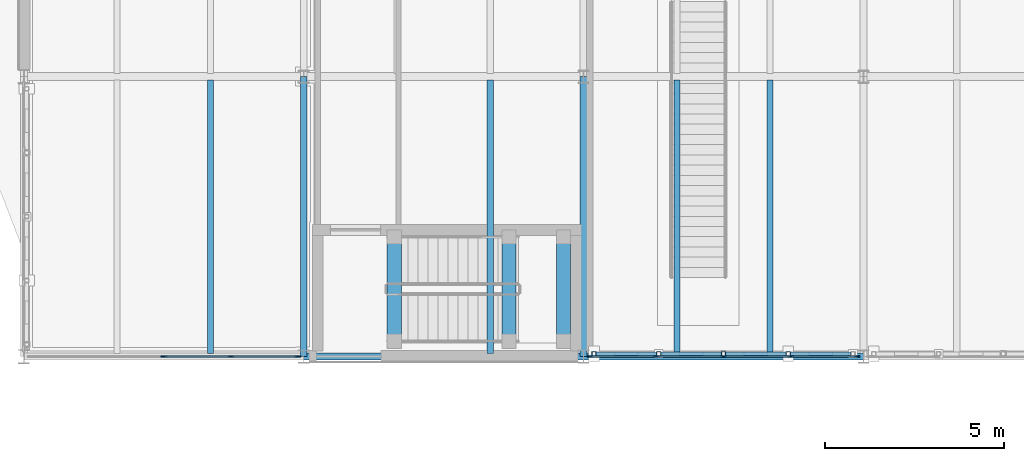
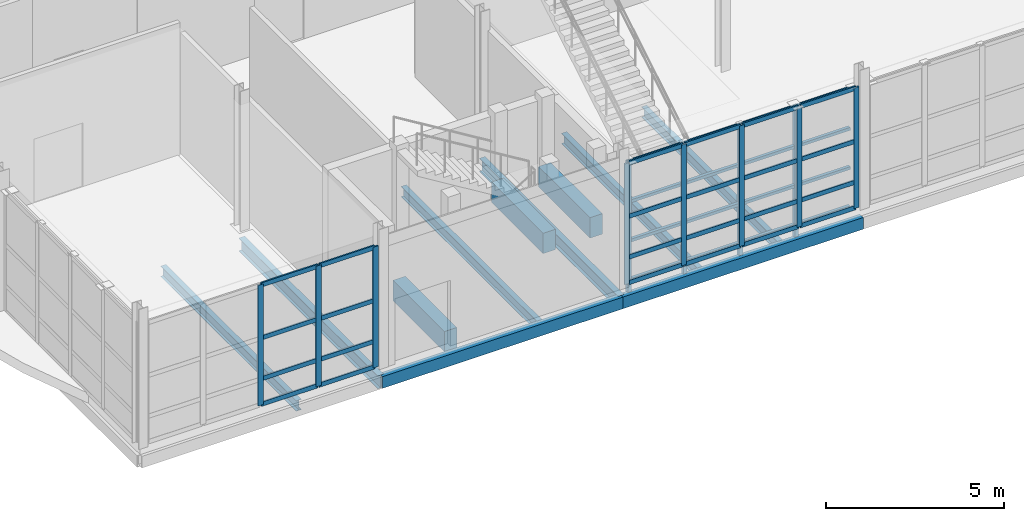
# One storey, part 59 of 131: 52 members, 11 beams, 2 elements without a shape of their own.
"""IFC4 building model written with IfcOpenShell, lengths in metres."""

from ifc_helpers import new_model, si_unit, direction, frame, origin, origin_2d, place, context, subcontext, project, spatial, rectangle, hollow_rectangle, i_section, extrude, material, layer, layer_set, material_profile, profile_set, type_object, element, aggregate, save


model = new_model("IFC4")

# Units and contexts
model_context = context("Model", 3, precision=1e-05, world=origin(), true_north=direction((0.0, 1.0)))
body_context = subcontext(model_context, "Body", "Model", "MODEL_VIEW")
ifc_project = project(units=[si_unit("LENGTHUNIT", "METRE"), si_unit("AREAUNIT", "SQUARE_METRE"), si_unit("VOLUMEUNIT", "CUBIC_METRE"), si_unit("PLANEANGLEUNIT", "RADIAN"), si_unit("MASSUNIT", "GRAM", prefix="KILO")], contexts=[model_context])

# Site, building, storey
site_placement = place(None, origin())
site = spatial("IfcSite", under=ifc_project, at=site_placement, CompositionType="ELEMENT")
building_placement = place(site_placement, origin())
building = spatial("IfcBuilding", under=site, at=building_placement, Name="Celorna Specialist Clinic", CompositionType="ELEMENT")
storey_placement = place(building_placement, origin())
storey = spatial("IfcBuildingStorey", under=building, at=storey_placement, Name="L00", CompositionType="ELEMENT", Elevation=0.0)

# Beams
ifc_material_1 = material(Name="Steel S355", Category="steel")
ifc_material_profile_1 = material_profile(ifc_material_1, i_section(OverallWidth=0.18994140625, OverallDepth=0.449951171875, WebThickness=0.009521484375, FlangeThickness=0.0146484375, at=origin_2d()), Name="IPE 450")
ifc_profile_set_1 = profile_set([ifc_material_profile_1], Name="Steel S355")
beam_type_1 = type_object("IfcBeamType", Name="BM-09", PredefinedType="BEAM", material=ifc_profile_set_1)
for number, where, z_axis, x_axis, name in (
    (1, (132.60009765625, 60.0, -0.56494140625), (0.0, 1.0, 0.0), (-1.0, 0.0, 0.0), "Transverse girder BM-09 #561"),
    (2, (140.39990234375, 60.0, -0.56494140625), (0.0, 1.0, 0.0), (-1.0, 0.0, 0.0), "Transverse girder BM-09 #564"),
):
    element("IfcBeam", number, at=place(storey_placement, frame(where, z_axis=z_axis, x_axis=x_axis)), inside=storey, type_object=beam_type_1, Name=name, PredefinedType="BEAM", context=body_context, shape_type="SweptSolid", body=[
        extrude(i_section(OverallWidth=0.18994140625, OverallDepth=0.449951171875, WebThickness=0.009521484375, FlangeThickness=0.0146484375, at=origin_2d()), origin(), (0.0, 0.0, 1.0), 7.800048828125),
    ])
ifc_material_profile_2 = material_profile(ifc_material_1, i_section(OverallWidth=0.169921875, OverallDepth=0.360107421875, WebThickness=0.008056640625, FlangeThickness=0.0126953125, at=origin_2d()), Name="IPE 360")
ifc_profile_set_2 = profile_set([ifc_material_profile_2], Name="Steel S355")
beam_type_2 = type_object("IfcBeamType", Name="BM-11", PredefinedType="JOIST", material=ifc_profile_set_2)
for number, where, z_axis, x_axis, name in (
    (3, (130.0, 60.087890625, -0.52001953125), (0.0, 1.0, 0.0), (-1.0, 0.0, 0.0), "Secondary floor joist BM-11 #580"),
    (4, (137.800048828125, 60.087890625, -0.52001953125), (0.0, 1.0, 0.0), (-1.0, 0.0, 0.0), "Secondary floor joist BM-11 #585"),
    (5, (143.0, 60.087890625, -0.52001953125), (0.0, 1.0, 0.0), (-1.0, 0.0, 0.0), "Secondary floor joist BM-11 #590"),
    (6, (145.60009765625, 60.087890625, -0.52001953125), (0.0, 1.0, 0.0), (-1.0, 0.0, 0.0), "Secondary floor joist BM-11 #591"),
):
    element("IfcBeam", number, at=place(storey_placement, frame(where, z_axis=z_axis, x_axis=x_axis)), inside=storey, type_object=beam_type_2, Name=name, PredefinedType="JOIST", context=body_context, shape_type="SweptSolid", body=[
        extrude(i_section(OverallWidth=0.169921875, OverallDepth=0.360107421875, WebThickness=0.008056640625, FlangeThickness=0.0126953125, at=origin_2d()), origin(), (0.0, 0.0, 1.0), 7.6240234375),
    ])
ifc_material_profile_3 = material_profile(ifc_material_1, hollow_rectangle(XDim=0.199951171875, YDim=0.39990234375, WallThickness=0.011962890625, at=origin_2d()), Name="RHS 200x400x12")
ifc_profile_set_3 = profile_set([ifc_material_profile_3], Name="Steel S355")
beam_type_3 = type_object("IfcBeamType", Name="BM-15", PredefinedType="SPANDREL", material=ifc_profile_set_3)
beam_1_placement = place(storey_placement, frame((132.60009765625, 60.0, -0.5400390625), z_axis=(1.0, 0.0, 0.0), x_axis=(0.0, 1.0, 0.0)))
element("IfcBeam", 7, at=beam_1_placement, inside=storey, type_object=beam_type_3, Name="Spandrel beam BM-15 #535", PredefinedType="SPANDREL", context=body_context, shape_type="SweptSolid", body=[
    extrude(hollow_rectangle(XDim=0.199951171875, YDim=0.39990234375, WallThickness=0.011962890625, at=origin_2d()), origin(), (0.0, 0.0, 1.0), 7.7998046875),
])
beam_2_placement = place(storey_placement, frame((140.39990234375, 60.0, -0.5400390625), z_axis=(1.0, 0.0, 0.0), x_axis=(0.0, 1.0, 0.0)))
element("IfcBeam", 8, at=beam_2_placement, inside=storey, type_object=beam_type_3, Name="Spandrel beam BM-15 #536", PredefinedType="SPANDREL", context=body_context, shape_type="SweptSolid", body=[
    extrude(hollow_rectangle(XDim=0.199951171875, YDim=0.39990234375, WallThickness=0.011962890625, at=origin_2d()), origin(), (0.0, 0.0, 1.0), 7.800048828125),
])
ifc_material_2 = material(Name="Concrete C35/45", Category="concrete")
ifc_material_profile_4 = material_profile(ifc_material_2, rectangle(XDim=0.39990234375, YDim=0.699951171875, at=origin_2d()), Name="RC 400x700")
ifc_profile_set_4 = profile_set([ifc_material_profile_4], Name="Concrete C35/45")
beam_type_4 = type_object("IfcBeamType", Name="BM-19", PredefinedType="BEAM", material=ifc_profile_set_4)
for number, where, z_axis, x_axis, name in (
    (9, (135.1201171875, 60.429931640625, -0.27490234375), (0.0, 1.0, 0.0), (-1.0, 0.0, 0.0), "Stair ST-13 floor landing trimmer beam L00"),
    (10, (138.320068359375, 60.429931640625, 1.97509765625), (0.0, 1.0, 0.0), (-1.0, 0.0, 0.0), "Stair ST-13 half-landing beam L00"),
    (11, (139.840087890625, 60.429931640625, 1.97509765625), (0.0, 1.0, 0.0), (-1.0, 0.0, 0.0), "Stair ST-13 half-landing beam L00"),
):
    element("IfcBeam", number, at=place(storey_placement, frame(where, z_axis=z_axis, x_axis=x_axis)), inside=storey, type_object=beam_type_4, Name=name, PredefinedType="BEAM", context=body_context, shape_type="SweptSolid", body=[
        extrude(rectangle(XDim=0.39990234375, YDim=0.699951171875, at=origin_2d()), origin(), (0.0, 0.0, 1.0), 2.900146484375),
    ])

# Members
ifc_material_profile_5 = material_profile(ifc_material_1, hollow_rectangle(XDim=0.1201171875, YDim=0.1201171875, WallThickness=0.008056640625, at=origin_2d()), Name="SHS 120x120x8")
ifc_profile_set_5 = profile_set([ifc_material_profile_5], Name="Steel S355")
member_type_1 = type_object("IfcMemberType", Name="MB-11", PredefinedType="STUD", material=ifc_profile_set_5)
for number, where, z_axis, x_axis, name in (
    (12, (140.68994140625, 60.080078125, -0.360107421875), (0.0, 0.0, 1.0), (1.0, 0.0, 0.0), "Perforated screen steel post #1960"),
    (13, (142.4951171875, 60.080078125, -0.360107421875), (0.0, 0.0, 1.0), (1.0, 0.0, 0.0), "Perforated screen steel post #1961"),
    (14, (144.300048828125, 60.080078125, -0.360107421875), (0.0, 0.0, 1.0), (1.0, 0.0, 0.0), "Perforated screen steel post #1962"),
    (15, (146.10498046875, 60.080078125, -0.360107421875), (0.0, 0.0, 1.0), (1.0, 0.0, 0.0), "Perforated screen steel post #1963"),
):
    element("IfcMember", number, at=place(storey_placement, frame(where, z_axis=z_axis, x_axis=x_axis)), inside=storey, type_object=member_type_1, Name=name, PredefinedType="STUD", context=body_context, shape_type="SweptSolid", body=[
        extrude(hollow_rectangle(XDim=0.1201171875, YDim=0.1201171875, WallThickness=0.008056640625, at=origin_2d()), origin(), (0.0, 0.0, 1.0), 4.5),
    ])
ifc_material_profile_6 = material_profile(ifc_material_1, hollow_rectangle(XDim=0.10009765625, YDim=0.10009765625, WallThickness=0.006103515625, at=origin_2d()), Name="SHS 100x100x6")
ifc_profile_set_6 = profile_set([ifc_material_profile_6], Name="Steel S355")
member_type_2 = type_object("IfcMemberType", Name="MB-12", PredefinedType="STUD", material=ifc_profile_set_6)
for number, where, z_axis, x_axis, name in (
    (16, (140.75, 60.080078125, 0.050048828125), (1.0, 0.0, 0.0), (0.0, 1.0, 0.0), "Perforated screen rail #1965"),
    (17, (140.75, 60.080078125, 1.396728515625), (1.0, 0.0, 0.0), (0.0, 1.0, 0.0), "Perforated screen rail #1966"),
    (18, (140.75, 60.080078125, 2.743408203125), (1.0, 0.0, 0.0), (0.0, 1.0, 0.0), "Perforated screen rail #1967"),
    (19, (140.75, 60.080078125, 4.090087890625), (1.0, 0.0, 0.0), (0.0, 1.0, 0.0), "Perforated screen rail #1968"),
    (20, (142.554931640625, 60.080078125, 0.050048828125), (1.0, 0.0, 0.0), (0.0, 1.0, 0.0), "Perforated screen rail #1969"),
    (21, (142.554931640625, 60.080078125, 1.396728515625), (1.0, 0.0, 0.0), (0.0, 1.0, 0.0), "Perforated screen rail #1970"),
    (22, (142.554931640625, 60.080078125, 2.743408203125), (1.0, 0.0, 0.0), (0.0, 1.0, 0.0), "Perforated screen rail #1971"),
    (23, (142.554931640625, 60.080078125, 4.090087890625), (1.0, 0.0, 0.0), (0.0, 1.0, 0.0), "Perforated screen rail #1972"),
):
    element("IfcMember", number, at=place(storey_placement, frame(where, z_axis=z_axis, x_axis=x_axis)), inside=storey, type_object=member_type_2, Name=name, PredefinedType="STUD", context=body_context, shape_type="SweptSolid", body=[
        extrude(hollow_rectangle(XDim=0.10009765625, YDim=0.10009765625, WallThickness=0.006103515625, at=origin_2d()), origin(), (0.0, 0.0, 1.0), 1.68505859375),
    ])
for number, where, z_axis, x_axis, name in (
    (24, (144.360107421875, 60.080078125, 0.050048828125), (1.0, 0.0, 0.0), (0.0, 1.0, 0.0), "Perforated screen rail #1973"),
    (25, (144.360107421875, 60.080078125, 1.396728515625), (1.0, 0.0, 0.0), (0.0, 1.0, 0.0), "Perforated screen rail #1974"),
    (26, (144.360107421875, 60.080078125, 2.743408203125), (1.0, 0.0, 0.0), (0.0, 1.0, 0.0), "Perforated screen rail #1975"),
    (27, (144.360107421875, 60.080078125, 4.090087890625), (1.0, 0.0, 0.0), (0.0, 1.0, 0.0), "Perforated screen rail #1976"),
):
    element("IfcMember", number, at=place(storey_placement, frame(where, z_axis=z_axis, x_axis=x_axis)), inside=storey, type_object=member_type_2, Name=name, PredefinedType="STUD", context=body_context, shape_type="SweptSolid", body=[
        extrude(hollow_rectangle(XDim=0.10009765625, YDim=0.10009765625, WallThickness=0.006103515625, at=origin_2d()), origin(), (0.0, 0.0, 1.0), 1.684814453125),
    ])
for number, where, z_axis, x_axis, name in (
    (28, (146.1650390625, 60.080078125, 0.050048828125), (1.0, 0.0, 0.0), (0.0, 1.0, 0.0), "Perforated screen rail #1977"),
    (29, (146.1650390625, 60.080078125, 1.396728515625), (1.0, 0.0, 0.0), (0.0, 1.0, 0.0), "Perforated screen rail #1978"),
    (30, (146.1650390625, 60.080078125, 2.743408203125), (1.0, 0.0, 0.0), (0.0, 1.0, 0.0), "Perforated screen rail #1979"),
    (31, (146.1650390625, 60.080078125, 4.090087890625), (1.0, 0.0, 0.0), (0.0, 1.0, 0.0), "Perforated screen rail #1980"),
):
    element("IfcMember", number, at=place(storey_placement, frame(where, z_axis=z_axis, x_axis=x_axis)), inside=storey, type_object=member_type_2, Name=name, PredefinedType="STUD", context=body_context, shape_type="SweptSolid", body=[
        extrude(hollow_rectangle(XDim=0.10009765625, YDim=0.10009765625, WallThickness=0.006103515625, at=origin_2d()), origin(), (0.0, 0.0, 1.0), 1.68505859375),
    ])

# Curtain wall, members
ifc_material_3 = material(Name="Thermally broken aluminium and solar-control glass curtain wall", Category="aluminium")
ifc_layer_1 = layer(ifc_material_3, 0.159912109375, Name="Thermally broken aluminium and solar-control glass curtain wall")
ifc_layer_set_1 = layer_set([ifc_layer_1], Name="Thermally broken aluminium and solar-control glass curtain wall")
curtain_wall_type_1 = type_object("IfcCurtainWallType", Name="CW-35", PredefinedType="NOTDEFINED", material=ifc_layer_set_1)
curtain_wall_1_placement = place(storey_placement, origin())
curtain_wall_1 = element("IfcCurtainWall", 32, at=curtain_wall_1_placement, inside=storey, type_object=curtain_wall_type_1, Name="Curtain wall CW-35 #65", PredefinedType="NOTDEFINED")
ifc_material_4 = material(Name="Anodized aluminium mullion", Category="aluminium")
ifc_material_profile_7 = material_profile(ifc_material_4, rectangle(XDim=0.050048828125, YDim=0.159912109375, at=origin_2d()), Name="ALU MULLION 50x160")
ifc_profile_set_7 = profile_set([ifc_material_profile_7], Name="Anodized aluminium mullion")
member_type_3 = type_object("IfcMemberType", Name="ML-01", PredefinedType="MULLION", material=ifc_profile_set_7)
member_1_placement = place(storey_placement, frame((148.02099609375, 60.0, 0.0), z_axis=(0.0, 0.0, 1.0), x_axis=(0.0, -1.0, 0.0)))
member_1 = element("IfcMember", 33, at=member_1_placement, type_object=member_type_3, Name="CW-35 mullion 1", PredefinedType="MULLION", context=body_context, shape_type="SweptSolid", body=[
    extrude(rectangle(XDim=0.050048828125, YDim=0.159912109375, at=origin_2d()), origin(), (0.0, 0.0, 1.0), 4.139892578125),
])
member_2_placement = place(storey_placement, frame((146.173095703125, 60.0, 0.0), z_axis=(0.0, 0.0, 1.0), x_axis=(0.0, -1.0, 0.0)))
member_2 = element("IfcMember", 34, at=member_2_placement, type_object=member_type_3, Name="CW-35 mullion 2", PredefinedType="MULLION", context=body_context, shape_type="SweptSolid", body=[
    extrude(rectangle(XDim=0.050048828125, YDim=0.159912109375, at=origin_2d()), origin(), (0.0, 0.0, 1.0), 4.139892578125),
])
member_3_placement = place(storey_placement, frame((144.300048828125, 60.0, 0.0), z_axis=(0.0, 0.0, 1.0), x_axis=(0.0, -1.0, 0.0)))
member_3 = element("IfcMember", 35, at=member_3_placement, type_object=member_type_3, Name="CW-35 mullion 3", PredefinedType="MULLION", context=body_context, shape_type="SweptSolid", body=[
    extrude(rectangle(XDim=0.050048828125, YDim=0.159912109375, at=origin_2d()), origin(), (0.0, 0.0, 1.0), 4.139892578125),
])
member_4_placement = place(storey_placement, frame((142.427001953125, 60.0, 0.0), z_axis=(0.0, 0.0, 1.0), x_axis=(0.0, -1.0, 0.0)))
member_4 = element("IfcMember", 36, at=member_4_placement, type_object=member_type_3, Name="CW-35 mullion 4", PredefinedType="MULLION", context=body_context, shape_type="SweptSolid", body=[
    extrude(rectangle(XDim=0.050048828125, YDim=0.159912109375, at=origin_2d()), origin(), (0.0, 0.0, 1.0), 4.139892578125),
])
member_5_placement = place(storey_placement, frame((140.5791015625, 60.0, 0.0), z_axis=(0.0, 0.0, 1.0), x_axis=(0.0, -1.0, 0.0)))
member_5 = element("IfcMember", 37, at=member_5_placement, type_object=member_type_3, Name="CW-35 mullion 5", PredefinedType="MULLION", context=body_context, shape_type="SweptSolid", body=[
    extrude(rectangle(XDim=0.050048828125, YDim=0.159912109375, at=origin_2d()), origin(), (0.0, 0.0, 1.0), 4.139892578125),
])

ifc_layer_2 = layer(ifc_material_3, 0.159912109375, Name="Thermally broken aluminium and solar-control glass curtain wall")
ifc_layer_set_2 = layer_set([ifc_layer_2], Name="Thermally broken aluminium and solar-control glass curtain wall")
curtain_wall_type_2 = type_object("IfcCurtainWallType", Name="CW-34", PredefinedType="NOTDEFINED", material=ifc_layer_set_2)
curtain_wall_2_placement = place(storey_placement, origin())
curtain_wall_2 = element("IfcCurtainWall", 38, at=curtain_wall_2_placement, inside=storey, type_object=curtain_wall_type_2, Name="Curtain wall CW-34 #64", PredefinedType="NOTDEFINED")
ifc_material_profile_8 = material_profile(ifc_material_4, rectangle(XDim=0.050048828125, YDim=0.179931640625, at=origin_2d()), Name="ALU MULLION 50x180")
ifc_profile_set_8 = profile_set([ifc_material_profile_8], Name="Anodized aluminium mullion")
member_type_4 = type_object("IfcMemberType", Name="ML-02", PredefinedType="MULLION", material=ifc_profile_set_8)
member_6_placement = place(storey_placement, frame((132.4208984375, 60.0, 0.0), z_axis=(0.0, 0.0, 1.0), x_axis=(0.0, -1.0, 0.0)))
member_6 = element("IfcMember", 39, at=member_6_placement, type_object=member_type_4, Name="CW-34 mullion 1", PredefinedType="MULLION", context=body_context, shape_type="SweptSolid", body=[
    extrude(rectangle(XDim=0.050048828125, YDim=0.179931640625, at=origin_2d()), origin(), (0.0, 0.0, 1.0), 4.139892578125),
])
member_7_placement = place(storey_placement, frame((130.572998046875, 60.0, 0.0), z_axis=(0.0, 0.0, 1.0), x_axis=(0.0, -1.0, 0.0)))
member_7 = element("IfcMember", 40, at=member_7_placement, type_object=member_type_4, Name="CW-34 mullion 2", PredefinedType="MULLION", context=body_context, shape_type="SweptSolid", body=[
    extrude(rectangle(XDim=0.050048828125, YDim=0.179931640625, at=origin_2d()), origin(), (0.0, 0.0, 1.0), 4.139892578125),
])
member_8_placement = place(storey_placement, frame((128.699951171875, 60.0, 0.0), z_axis=(0.0, 0.0, 1.0), x_axis=(0.0, -1.0, 0.0)))
member_8 = element("IfcMember", 41, at=member_8_placement, type_object=member_type_4, Name="CW-34 mullion 3", PredefinedType="MULLION", context=body_context, shape_type="SweptSolid", body=[
    extrude(rectangle(XDim=0.050048828125, YDim=0.179931640625, at=origin_2d()), origin(), (0.0, 0.0, 1.0), 4.139892578125),
])
ifc_material_5 = material(Name="Anodized aluminium transom", Category="aluminium")
ifc_material_profile_9 = material_profile(ifc_material_5, rectangle(XDim=0.050048828125, YDim=0.14990234375, at=origin_2d()), Name="ALU TRANSOM 50x150")
ifc_profile_set_9 = profile_set([ifc_material_profile_9], Name="Anodized aluminium transom")
member_type_5 = type_object("IfcMemberType", Name="TR-02", PredefinedType="USERDEFINED", material=ifc_profile_set_9)
member_9_placement = place(storey_placement, frame((132.39599609375, 60.0, 0.02490234375), z_axis=(-1.0, 0.0, 0.0), x_axis=(0.0, -1.0, 0.0)))
member_9 = element("IfcMember", 42, at=member_9_placement, type_object=member_type_5, Name="CW-34 transom 1.1", ObjectType="TRANSOM", PredefinedType="USERDEFINED", context=body_context, shape_type="SweptSolid", body=[
    extrude(rectangle(XDim=0.050048828125, YDim=0.14990234375, at=origin_2d()), origin(), (0.0, 0.0, 1.0), 1.798095703125),
])
member_10_placement = place(storey_placement, frame((132.39599609375, 60.0, 0.89990234375), z_axis=(-1.0, 0.0, 0.0), x_axis=(0.0, -1.0, 0.0)))
member_10 = element("IfcMember", 43, at=member_10_placement, type_object=member_type_5, Name="CW-34 transom 1.2", ObjectType="TRANSOM", PredefinedType="USERDEFINED", context=body_context, shape_type="SweptSolid", body=[
    extrude(rectangle(XDim=0.050048828125, YDim=0.14990234375, at=origin_2d()), origin(), (0.0, 0.0, 1.0), 1.798095703125),
])
member_11_placement = place(storey_placement, frame((132.39599609375, 60.0, 2.300048828125), z_axis=(-1.0, 0.0, 0.0), x_axis=(0.0, -1.0, 0.0)))
member_11 = element("IfcMember", 44, at=member_11_placement, type_object=member_type_5, Name="CW-34 transom 1.3", ObjectType="TRANSOM", PredefinedType="USERDEFINED", context=body_context, shape_type="SweptSolid", body=[
    extrude(rectangle(XDim=0.050048828125, YDim=0.14990234375, at=origin_2d()), origin(), (0.0, 0.0, 1.0), 1.798095703125),
])
member_12_placement = place(storey_placement, frame((132.39599609375, 60.0, 4.114990234375), z_axis=(-1.0, 0.0, 0.0), x_axis=(0.0, -1.0, 0.0)))
member_12 = element("IfcMember", 45, at=member_12_placement, type_object=member_type_5, Name="CW-34 transom 1.4", ObjectType="TRANSOM", PredefinedType="USERDEFINED", context=body_context, shape_type="SweptSolid", body=[
    extrude(rectangle(XDim=0.050048828125, YDim=0.14990234375, at=origin_2d()), origin(), (0.0, 0.0, 1.0), 1.798095703125),
])
member_13_placement = place(storey_placement, frame((130.548095703125, 60.0, 0.02490234375), z_axis=(-1.0, 0.0, 0.0), x_axis=(0.0, -1.0, 0.0)))
member_13 = element("IfcMember", 46, at=member_13_placement, type_object=member_type_5, Name="CW-34 transom 2.1", ObjectType="TRANSOM", PredefinedType="USERDEFINED", context=body_context, shape_type="SweptSolid", body=[
    extrude(rectangle(XDim=0.050048828125, YDim=0.14990234375, at=origin_2d()), origin(), (0.0, 0.0, 1.0), 1.822998046875),
])
member_14_placement = place(storey_placement, frame((130.548095703125, 60.0, 0.89990234375), z_axis=(-1.0, 0.0, 0.0), x_axis=(0.0, -1.0, 0.0)))
member_14 = element("IfcMember", 47, at=member_14_placement, type_object=member_type_5, Name="CW-34 transom 2.2", ObjectType="TRANSOM", PredefinedType="USERDEFINED", context=body_context, shape_type="SweptSolid", body=[
    extrude(rectangle(XDim=0.050048828125, YDim=0.14990234375, at=origin_2d()), origin(), (0.0, 0.0, 1.0), 1.822998046875),
])
member_15_placement = place(storey_placement, frame((130.548095703125, 60.0, 2.300048828125), z_axis=(-1.0, 0.0, 0.0), x_axis=(0.0, -1.0, 0.0)))
member_15 = element("IfcMember", 48, at=member_15_placement, type_object=member_type_5, Name="CW-34 transom 2.3", ObjectType="TRANSOM", PredefinedType="USERDEFINED", context=body_context, shape_type="SweptSolid", body=[
    extrude(rectangle(XDim=0.050048828125, YDim=0.14990234375, at=origin_2d()), origin(), (0.0, 0.0, 1.0), 1.822998046875),
])
member_16_placement = place(storey_placement, frame((130.548095703125, 60.0, 4.114990234375), z_axis=(-1.0, 0.0, 0.0), x_axis=(0.0, -1.0, 0.0)))
member_16 = element("IfcMember", 49, at=member_16_placement, type_object=member_type_5, Name="CW-34 transom 2.4", ObjectType="TRANSOM", PredefinedType="USERDEFINED", context=body_context, shape_type="SweptSolid", body=[
    extrude(rectangle(XDim=0.050048828125, YDim=0.14990234375, at=origin_2d()), origin(), (0.0, 0.0, 1.0), 1.822998046875),
])
aggregate(curtain_wall_2, [member_6, member_7, member_8, member_9, member_10, member_11, member_12, member_13, member_14, member_15, member_16])

# Member
member_17_placement = place(storey_placement, frame((147.99609375, 60.0, 0.02490234375), z_axis=(-1.0, 0.0, 0.0), x_axis=(0.0, -1.0, 0.0)))
member_17 = element("IfcMember", 50, at=member_17_placement, type_object=member_type_5, Name="CW-35 transom 1.1", ObjectType="TRANSOM", PredefinedType="USERDEFINED", context=body_context, shape_type="SweptSolid", body=[
    extrude(rectangle(XDim=0.050048828125, YDim=0.14990234375, at=origin_2d()), origin(), (0.0, 0.0, 1.0), 1.798095703125),
])

member_18_placement = place(storey_placement, frame((147.99609375, 60.0, 0.89990234375), z_axis=(-1.0, 0.0, 0.0), x_axis=(0.0, -1.0, 0.0)))
member_18 = element("IfcMember", 51, at=member_18_placement, type_object=member_type_5, Name="CW-35 transom 1.2", ObjectType="TRANSOM", PredefinedType="USERDEFINED", context=body_context, shape_type="SweptSolid", body=[
    extrude(rectangle(XDim=0.050048828125, YDim=0.14990234375, at=origin_2d()), origin(), (0.0, 0.0, 1.0), 1.798095703125),
])

member_19_placement = place(storey_placement, frame((147.99609375, 60.0, 2.300048828125), z_axis=(-1.0, 0.0, 0.0), x_axis=(0.0, -1.0, 0.0)))
member_19 = element("IfcMember", 52, at=member_19_placement, type_object=member_type_5, Name="CW-35 transom 1.3", ObjectType="TRANSOM", PredefinedType="USERDEFINED", context=body_context, shape_type="SweptSolid", body=[
    extrude(rectangle(XDim=0.050048828125, YDim=0.14990234375, at=origin_2d()), origin(), (0.0, 0.0, 1.0), 1.798095703125),
])

member_20_placement = place(storey_placement, frame((147.99609375, 60.0, 4.114990234375), z_axis=(-1.0, 0.0, 0.0), x_axis=(0.0, -1.0, 0.0)))
member_20 = element("IfcMember", 53, at=member_20_placement, type_object=member_type_5, Name="CW-35 transom 1.4", ObjectType="TRANSOM", PredefinedType="USERDEFINED", context=body_context, shape_type="SweptSolid", body=[
    extrude(rectangle(XDim=0.050048828125, YDim=0.14990234375, at=origin_2d()), origin(), (0.0, 0.0, 1.0), 1.798095703125),
])

member_21_placement = place(storey_placement, frame((146.14794921875, 60.0, 0.02490234375), z_axis=(-1.0, 0.0, 0.0), x_axis=(0.0, -1.0, 0.0)))
member_21 = element("IfcMember", 54, at=member_21_placement, type_object=member_type_5, Name="CW-35 transom 2.1", ObjectType="TRANSOM", PredefinedType="USERDEFINED", context=body_context, shape_type="SweptSolid", body=[
    extrude(rectangle(XDim=0.050048828125, YDim=0.14990234375, at=origin_2d()), origin(), (0.0, 0.0, 1.0), 1.822998046875),
])

member_22_placement = place(storey_placement, frame((146.14794921875, 60.0, 0.89990234375), z_axis=(-1.0, 0.0, 0.0), x_axis=(0.0, -1.0, 0.0)))
member_22 = element("IfcMember", 55, at=member_22_placement, type_object=member_type_5, Name="CW-35 transom 2.2", ObjectType="TRANSOM", PredefinedType="USERDEFINED", context=body_context, shape_type="SweptSolid", body=[
    extrude(rectangle(XDim=0.050048828125, YDim=0.14990234375, at=origin_2d()), origin(), (0.0, 0.0, 1.0), 1.822998046875),
])

member_23_placement = place(storey_placement, frame((146.14794921875, 60.0, 2.300048828125), z_axis=(-1.0, 0.0, 0.0), x_axis=(0.0, -1.0, 0.0)))
member_23 = element("IfcMember", 56, at=member_23_placement, type_object=member_type_5, Name="CW-35 transom 2.3", ObjectType="TRANSOM", PredefinedType="USERDEFINED", context=body_context, shape_type="SweptSolid", body=[
    extrude(rectangle(XDim=0.050048828125, YDim=0.14990234375, at=origin_2d()), origin(), (0.0, 0.0, 1.0), 1.822998046875),
])

member_24_placement = place(storey_placement, frame((146.14794921875, 60.0, 4.114990234375), z_axis=(-1.0, 0.0, 0.0), x_axis=(0.0, -1.0, 0.0)))
member_24 = element("IfcMember", 57, at=member_24_placement, type_object=member_type_5, Name="CW-35 transom 2.4", ObjectType="TRANSOM", PredefinedType="USERDEFINED", context=body_context, shape_type="SweptSolid", body=[
    extrude(rectangle(XDim=0.050048828125, YDim=0.14990234375, at=origin_2d()), origin(), (0.0, 0.0, 1.0), 1.822998046875),
])

member_25_placement = place(storey_placement, frame((144.27490234375, 60.0, 0.02490234375), z_axis=(-1.0, 0.0, 0.0), x_axis=(0.0, -1.0, 0.0)))
member_25 = element("IfcMember", 58, at=member_25_placement, type_object=member_type_5, Name="CW-35 transom 3.1", ObjectType="TRANSOM", PredefinedType="USERDEFINED", context=body_context, shape_type="SweptSolid", body=[
    extrude(rectangle(XDim=0.050048828125, YDim=0.14990234375, at=origin_2d()), origin(), (0.0, 0.0, 1.0), 1.822998046875),
])

member_26_placement = place(storey_placement, frame((144.27490234375, 60.0, 0.89990234375), z_axis=(-1.0, 0.0, 0.0), x_axis=(0.0, -1.0, 0.0)))
member_26 = element("IfcMember", 59, at=member_26_placement, type_object=member_type_5, Name="CW-35 transom 3.2", ObjectType="TRANSOM", PredefinedType="USERDEFINED", context=body_context, shape_type="SweptSolid", body=[
    extrude(rectangle(XDim=0.050048828125, YDim=0.14990234375, at=origin_2d()), origin(), (0.0, 0.0, 1.0), 1.822998046875),
])

member_27_placement = place(storey_placement, frame((144.27490234375, 60.0, 2.300048828125), z_axis=(-1.0, 0.0, 0.0), x_axis=(0.0, -1.0, 0.0)))
member_27 = element("IfcMember", 60, at=member_27_placement, type_object=member_type_5, Name="CW-35 transom 3.3", ObjectType="TRANSOM", PredefinedType="USERDEFINED", context=body_context, shape_type="SweptSolid", body=[
    extrude(rectangle(XDim=0.050048828125, YDim=0.14990234375, at=origin_2d()), origin(), (0.0, 0.0, 1.0), 1.822998046875),
])

member_28_placement = place(storey_placement, frame((144.27490234375, 60.0, 4.114990234375), z_axis=(-1.0, 0.0, 0.0), x_axis=(0.0, -1.0, 0.0)))
member_28 = element("IfcMember", 61, at=member_28_placement, type_object=member_type_5, Name="CW-35 transom 3.4", ObjectType="TRANSOM", PredefinedType="USERDEFINED", context=body_context, shape_type="SweptSolid", body=[
    extrude(rectangle(XDim=0.050048828125, YDim=0.14990234375, at=origin_2d()), origin(), (0.0, 0.0, 1.0), 1.822998046875),
])

member_29_placement = place(storey_placement, frame((142.402099609375, 60.0, 0.02490234375), z_axis=(-1.0, 0.0, 0.0), x_axis=(0.0, -1.0, 0.0)))
member_29 = element("IfcMember", 62, at=member_29_placement, type_object=member_type_5, Name="CW-35 transom 4.1", ObjectType="TRANSOM", PredefinedType="USERDEFINED", context=body_context, shape_type="SweptSolid", body=[
    extrude(rectangle(XDim=0.050048828125, YDim=0.14990234375, at=origin_2d()), origin(), (0.0, 0.0, 1.0), 1.798095703125),
])

member_30_placement = place(storey_placement, frame((142.402099609375, 60.0, 0.89990234375), z_axis=(-1.0, 0.0, 0.0), x_axis=(0.0, -1.0, 0.0)))
member_30 = element("IfcMember", 63, at=member_30_placement, type_object=member_type_5, Name="CW-35 transom 4.2", ObjectType="TRANSOM", PredefinedType="USERDEFINED", context=body_context, shape_type="SweptSolid", body=[
    extrude(rectangle(XDim=0.050048828125, YDim=0.14990234375, at=origin_2d()), origin(), (0.0, 0.0, 1.0), 1.798095703125),
])

member_31_placement = place(storey_placement, frame((142.402099609375, 60.0, 2.300048828125), z_axis=(-1.0, 0.0, 0.0), x_axis=(0.0, -1.0, 0.0)))
member_31 = element("IfcMember", 64, at=member_31_placement, type_object=member_type_5, Name="CW-35 transom 4.3", ObjectType="TRANSOM", PredefinedType="USERDEFINED", context=body_context, shape_type="SweptSolid", body=[
    extrude(rectangle(XDim=0.050048828125, YDim=0.14990234375, at=origin_2d()), origin(), (0.0, 0.0, 1.0), 1.798095703125),
])

member_32_placement = place(storey_placement, frame((142.402099609375, 60.0, 4.114990234375), z_axis=(-1.0, 0.0, 0.0), x_axis=(0.0, -1.0, 0.0)))
member_32 = element("IfcMember", 65, at=member_32_placement, type_object=member_type_5, Name="CW-35 transom 4.4", ObjectType="TRANSOM", PredefinedType="USERDEFINED", context=body_context, shape_type="SweptSolid", body=[
    extrude(rectangle(XDim=0.050048828125, YDim=0.14990234375, at=origin_2d()), origin(), (0.0, 0.0, 1.0), 1.798095703125),
])

aggregate(curtain_wall_1, [member_1, member_2, member_3, member_4, member_5, member_17, member_18, member_19, member_20, member_21, member_22, member_23, member_24, member_25, member_26, member_27, member_28, member_29, member_30, member_31, member_32])

save(model, "model.ifc")
